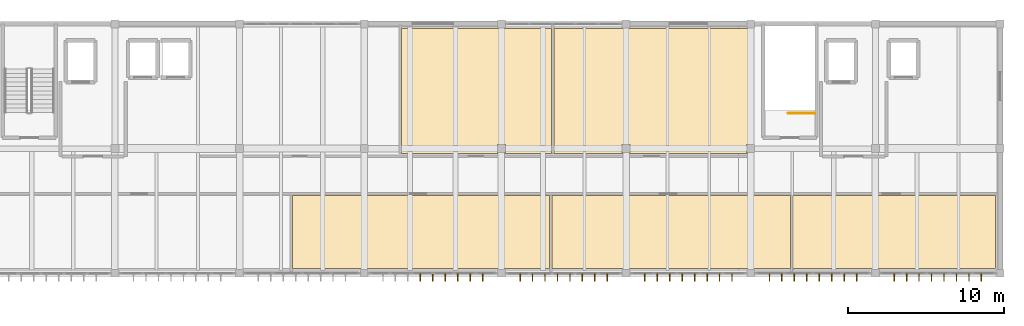
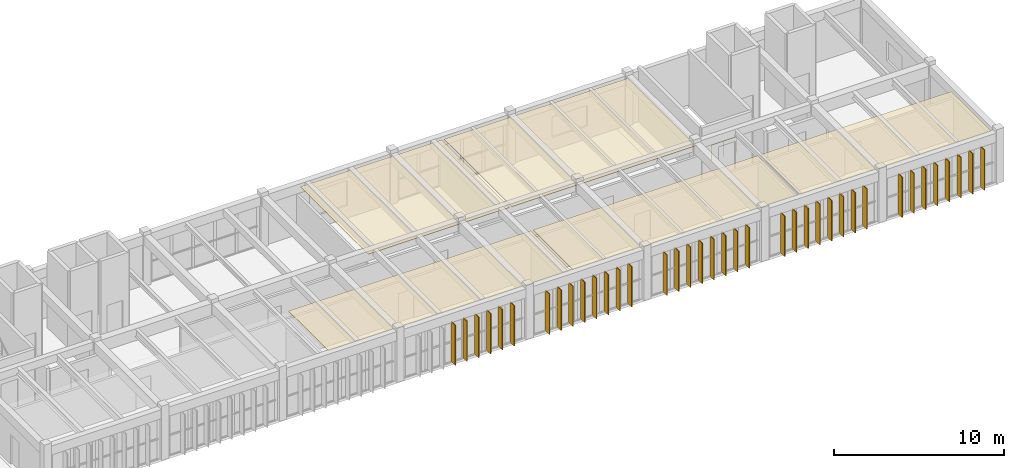
# One storey, part 12 of 12: 38 shading devices, 5 coverings, 1 railing.
"""IFC4 building model written with IfcOpenShell, lengths in metres."""

import ifcopenshell
import ifcopenshell.guid

model = None  # the IFC model being written
_history = None  # IfcOwnerHistory: only IFC2X3 demands one
_inside = {}  # id of a spatial element -> (the spatial element, [elements in it])
_under = {}  # id of a project, library or spatial element -> (it, [spatial elements below it])
_declared = {}  # id of a project -> (the project, [libraries it declares])
_typed = {}  # id of a type object -> (the type object, [elements of that type])
_made_of = {}  # id of a material, layer set ... -> (it, [elements and type objects made of it])


def new_model(schema):
    """Start an empty IFC model of exactly this schema.

    Asked for "IFC4X3", IfcOpenShell would pick the latest addendum, in which some entities
    have other attributes; the version numbers below select the first issue.
    IFC2X3 requires an IfcOwnerHistory on every rooted entity: one is made here for all.
    """
    global model, _history
    if schema == "IFC4X3":
        model = ifcopenshell.file(schema_version=(4, 3, 0, 0))
    else:
        model = ifcopenshell.file(schema=schema)
    _inside.clear()
    _under.clear()
    _declared.clear()
    _typed.clear()
    _made_of.clear()
    _history = None
    if model.schema == "IFC2X3":
        org = make("IfcOrganization", Name="unknown")
        user = make(
            "IfcPersonAndOrganization",
            ThePerson=make("IfcPerson", FamilyName="unknown"),
            TheOrganization=org,
        )
        app = make(
            "IfcApplication",
            ApplicationDeveloper=org,
            Version="unknown",
            ApplicationFullName="unknown",
            ApplicationIdentifier="unknown",
        )
        _history = make(
            "IfcOwnerHistory",
            OwningUser=user,
            OwningApplication=app,
            ChangeAction="ADDED",
            CreationDate=0,
        )
    return model


def make(cls, **values):
    """One entity of the class cls with the attributes given. An attribute that is None is left unset."""
    return model.create_entity(
        cls, **{name: value for name, value in values.items() if value is not None}
    )


def rooted(cls, **values):
    """An entity with a GlobalId (a new one), such as an element, a storey or a relation."""
    return make(cls, GlobalId=ifcopenshell.guid.new(), OwnerHistory=_history, **values)


def si_unit(unit_type, name, prefix=None):
    """IfcSIUnit, for example si_unit("LENGTHUNIT", "METRE", prefix="MILLI")."""
    return make("IfcSIUnit", UnitType=unit_type, Prefix=prefix, Name=name)


def assignment(units):
    """IfcUnitAssignment: the units of a project."""
    return None if units is None else make("IfcUnitAssignment", Units=units)


def point(xyz):
    """IfcCartesianPoint."""
    return None if xyz is None else make("IfcCartesianPoint", Coordinates=xyz)


def direction(xyz):
    """IfcDirection."""
    return None if xyz is None else make("IfcDirection", DirectionRatios=xyz)


def frame(location, z_axis=None, x_axis=None):
    """IfcAxis2Placement3D, a coordinate frame: its origin and axes. An axis left out is left unset."""
    return make(
        "IfcAxis2Placement3D",
        Location=point(location),
        Axis=direction(z_axis),
        RefDirection=direction(x_axis),
    )


def frame_2d(location, x_axis=None):
    """IfcAxis2Placement2D, a coordinate frame in the plane: its origin and x axis."""
    return make(
        "IfcAxis2Placement2D", Location=point(location), RefDirection=direction(x_axis)
    )


def origin():
    """The frame at (0, 0, 0) with its axes left unset."""
    return frame((0.0, 0.0, 0.0))


def origin_2d():
    """The frame at (0, 0) in the plane with its x axis left unset."""
    return frame_2d((0.0, 0.0))


def place(relative_to, where):
    """IfcLocalPlacement: puts the frame where relative to a parent placement (None: the world)."""
    return make(
        "IfcLocalPlacement", PlacementRelTo=relative_to, RelativePlacement=where
    )


def context(
    kind, dimensions, precision=None, world=None, true_north=None, identifier=None
):
    """IfcGeometricRepresentationContext, for example the 3D "Model" context."""
    return make(
        "IfcGeometricRepresentationContext",
        ContextIdentifier=identifier,
        ContextType=kind,
        CoordinateSpaceDimension=dimensions,
        Precision=precision,
        WorldCoordinateSystem=world,
        TrueNorth=true_north,
    )


def subcontext(parent, identifier, kind, view, scale=None):
    """IfcGeometricRepresentationSubContext, for example "Body" below "Model"."""
    return make(
        "IfcGeometricRepresentationSubContext",
        ContextIdentifier=identifier,
        ContextType=kind,
        ParentContext=parent,
        TargetScale=scale,
        TargetView=view,
    )


def project(units=None, contexts=None):
    """IfcProject with its units and contexts."""
    return rooted(
        "IfcProject",
        Name="project",
        RepresentationContexts=contexts,
        UnitsInContext=assignment(units),
    )


def spatial(cls, under=None, at=None, **own):
    """A site, building, storey or space (cls), placed at a placement, below another one or the project."""
    s = rooted(cls, ObjectPlacement=at, **own)
    if under is not None:
        _under.setdefault(under.id(), (under, []))[1].append(s)
    return s


def polyline(points):
    """IfcPolyline through the points."""
    return make("IfcPolyline", Points=[point(p) for p in points])


def profile(cls, at=None, kind="AREA", **sizes):
    """A parametric profile (cls). Its sizes go by their IFC names, for example OverallWidth=200.0."""
    return make(cls, ProfileType=kind, Position=at, **sizes)


def rectangle(**sizes):
    """IfcRectangleProfileDef."""
    return profile("IfcRectangleProfileDef", **sizes)


def circle(**sizes):
    """IfcCircleProfileDef."""
    return profile("IfcCircleProfileDef", **sizes)


def outline(outer, holes=None, kind="AREA"):
    """IfcArbitraryClosedProfileDef: a profile drawn as a closed curve; with holes, ...WithVoids."""
    if holes is None:
        return make("IfcArbitraryClosedProfileDef", ProfileType=kind, OuterCurve=outer)
    return make(
        "IfcArbitraryProfileDefWithVoids",
        ProfileType=kind,
        OuterCurve=outer,
        InnerCurves=holes,
    )


def extrude(swept, where, along, depth):
    """IfcExtrudedAreaSolid: the profile swept, set in the frame where, extruded along a direction by depth."""
    return make(
        "IfcExtrudedAreaSolid",
        SweptArea=swept,
        Position=where,
        ExtrudedDirection=direction(along),
        Depth=depth,
    )


def shape(context_of_items, identifier, shape_type, items):
    """IfcShapeRepresentation: the items that make up one representation, for example the "Body"."""
    return make(
        "IfcShapeRepresentation",
        ContextOfItems=context_of_items,
        RepresentationIdentifier=identifier,
        RepresentationType=shape_type,
        Items=items,
    )


def material(Name=None, Category=None):
    """IfcMaterial."""
    return make("IfcMaterial", Name=Name, Category=Category)


def layer(
    of_material, thickness, ventilated=None, Name=None, Category=None, Priority=None
):
    """IfcMaterialLayer: one layer of a wall or slab, of a material (None: an air gap)."""
    return make(
        "IfcMaterialLayer",
        Material=of_material,
        LayerThickness=thickness,
        IsVentilated=ventilated,
        Name=Name,
        Category=Category,
        Priority=Priority,
    )


def layer_set(layers, Name=None):
    """IfcMaterialLayerSet."""
    return make("IfcMaterialLayerSet", MaterialLayers=layers, LayerSetName=Name)


def made_of(thing, what):
    """Note that an element or type object is made of a material, layer set ...; save() writes the relation."""
    if what is not None:
        _made_of.setdefault(what.id(), (what, []))[1].append(thing)
    return thing


def type_object(cls, material=None, **own):
    """A type object (cls), such as IfcWallType, which elements share."""
    return made_of(rooted(cls, **own), material)


def element(
    cls,
    number,
    at=None,
    inside=None,
    cuts=None,
    type_object=None,
    material=None,
    context=None,
    identifier="Body",
    shape_type=None,
    held_by="IfcProductDefinitionShape",
    body=None,
    shapes=None,
    **own,
):
    """One element of the class cls, such as IfcWall. Its Tag is "e" and its number.

    at: its placement. inside: the storey or other place that contains it. cuts: it is an
    opening in that element (IfcRelVoidsElement). A single representation is given by context,
    identifier, shape_type and body (its items); several are given by shapes. held_by: the class
    of the entity that holds the representations. save() writes the other relations.
    """
    e = rooted(cls, Tag="e%d" % number, ObjectPlacement=at, **own)
    if body is not None:
        shapes = [shape(context, identifier, shape_type, body)]
    if shapes is not None:
        e.Representation = make(held_by, Representations=shapes)
    if inside is not None:
        _inside.setdefault(inside.id(), (inside, []))[1].append(e)
    if cuts is not None:
        rooted(
            "IfcRelVoidsElement", RelatingBuildingElement=cuts, RelatedOpeningElement=e
        )
    if type_object is not None:
        _typed.setdefault(type_object.id(), (type_object, []))[1].append(e)
    return made_of(e, material)


def aggregate(whole, parts):
    """IfcRelAggregates: a whole, such as a stair, and the parts it consists of."""
    return rooted("IfcRelAggregates", RelatingObject=whole, RelatedObjects=parts)


def save(model, path):
    """Write the relations noted so far, then the file.

    IfcRelAggregates (storeys below a building ...), IfcRelContainedInSpatialStructure (elements
    in a storey), IfcRelDefinesByType, IfcRelAssociatesMaterial and IfcRelDeclares: one each for
    every whole, place, type object, material and project.
    """
    for whole, parts in _under.values():
        aggregate(whole, parts)
    for where, things in _inside.values():
        rooted(
            "IfcRelContainedInSpatialStructure",
            RelatedElements=things,
            RelatingStructure=where,
        )
    for kind, things in _typed.values():
        rooted("IfcRelDefinesByType", RelatedObjects=things, RelatingType=kind)
    for what, things in _made_of.values():
        rooted("IfcRelAssociatesMaterial", RelatedObjects=things, RelatingMaterial=what)
    for by, libraries in _declared.values():
        rooted("IfcRelDeclares", RelatingContext=by, RelatedDefinitions=libraries)
    model.write(path)


model = new_model("IFC4")

# Units and contexts
model_context = context("Model", 3, precision=1e-05, world=origin(), true_north=direction((0.0, 1.0)))
body_context = subcontext(model_context, "Body", "Model", "MODEL_VIEW")
ifc_project = project(units=[si_unit("LENGTHUNIT", "METRE"), si_unit("AREAUNIT", "SQUARE_METRE"), si_unit("VOLUMEUNIT", "CUBIC_METRE"), si_unit("PLANEANGLEUNIT", "RADIAN"), si_unit("MASSUNIT", "GRAM", prefix="KILO")], contexts=[model_context])

# Site, building, storey
site_placement = place(None, origin())
site = spatial("IfcSite", under=ifc_project, at=site_placement, CompositionType="ELEMENT")
building_placement = place(site_placement, origin())
building = spatial("IfcBuilding", under=site, at=building_placement, Name="Tlaxcora Railside Police Headquarters", CompositionType="ELEMENT")
storey_placement = place(building_placement, frame((0.0, 0.0, 29.699951171875)))
storey = spatial("IfcBuildingStorey", under=building, at=storey_placement, Name="L07", CompositionType="ELEMENT", Elevation=29.699951171875)

# Coverings
ifc_material_1 = material(Name="Mineral-fibre acoustic ceiling tile")
ifc_layer_1 = layer(ifc_material_1, 0.034912109375, Name="Mineral-fibre acoustic ceiling tile")
ifc_layer_set_1 = layer_set([ifc_layer_1], Name="Mineral-fibre acoustic ceiling tile")
covering_type = type_object("IfcCoveringType", Name="Acoustic Suspended Ceiling CLG-01", PredefinedType="CEILING", material=ifc_layer_set_1)
covering_1_placement = place(storey_placement, frame((0.0, 0.0, 3.465087890625)))
element("IfcCovering", 1, at=covering_1_placement, inside=storey, type_object=covering_type, Name="Metropolitan Security Strategy Briefing Room suspended ceiling", PredefinedType="CEILING", context=body_context, shape_type="SweptSolid", body=[
    extrude(outline(polyline([(40.60205078125, 81.800048828125), (40.60205078125, 77.10009765625), (57.0859375, 77.10009765625), (57.0859375, 81.800048828125), (40.60205078125, 81.800048828125)])), origin(), (0.0, 0.0, 1.0), 0.034912109375),
])
covering_2_placement = place(storey_placement, frame((0.0, 0.0, 3.465087890625)))
element("IfcCovering", 2, at=covering_2_placement, inside=storey, type_object=covering_type, Name="Chief of Staff and Policy Planning Suite suspended ceiling", PredefinedType="CEILING", context=body_context, shape_type="SweptSolid", body=[
    extrude(outline(polyline([(57.24609375, 81.800048828125), (57.24609375, 77.10009765625), (72.5419921875, 77.10009765625), (72.5419921875, 81.800048828125), (57.24609375, 81.800048828125)])), origin(), (0.0, 0.0, 1.0), 0.034912109375),
])
covering_3_placement = place(storey_placement, frame((0.0, 0.0, 3.465087890625)))
element("IfcCovering", 3, at=covering_3_placement, inside=storey, type_object=covering_type, Name="Protocol Reception and Press Room suspended ceiling", PredefinedType="CEILING", context=body_context, shape_type="SweptSolid", body=[
    extrude(outline(polyline([(72.701904296875, 81.800048828125), (72.701904296875, 77.10009765625), (85.699951171875, 77.10009765625), (85.699951171875, 81.800048828125), (72.701904296875, 81.800048828125)])), origin(), (0.0, 0.0, 1.0), 0.034912109375),
])
covering_4_placement = place(storey_placement, frame((0.0, 0.0, 3.465087890625)))
element("IfcCovering", 4, at=covering_4_placement, inside=storey, type_object=covering_type, Name="Accessible WC and Executive Restrooms L07 suspended ceiling", PredefinedType="CEILING", context=body_context, shape_type="SweptSolid", body=[
    extrude(outline(polyline([(57.208984375, 92.5), (47.591064453125, 92.5), (47.591064453125, 84.5), (57.208984375, 84.5), (57.208984375, 92.5)]), holes=[polyline([(54.260009765625, 84.5400390625), (53.739990234375, 84.5400390625), (53.739990234375, 85.06005859375), (54.260009765625, 85.06005859375), (54.260009765625, 84.5400390625)])]), origin(), (0.0, 0.0, 1.0), 0.034912109375),
])
covering_5_placement = place(storey_placement, frame((0.0, 0.0, 3.465087890625)))
element("IfcCovering", 5, at=covering_5_placement, inside=storey, type_object=covering_type, Name="Directorate Registry Vault suspended ceiling", PredefinedType="CEILING", context=body_context, shape_type="SweptSolid", body=[
    extrude(outline(polyline([(70.0, 84.5), (70.0, 84.5400390625), (69.739990234375, 84.5400390625), (69.739990234375, 85.06005859375), (70.0, 85.06005859375), (70.0, 92.5), (57.368896484375, 92.5), (57.368896484375, 84.5), (70.0, 84.5)]), holes=[polyline([(62.260009765625, 85.06005859375), (62.260009765625, 84.5400390625), (61.739990234375, 84.5400390625), (61.739990234375, 85.06005859375), (62.260009765625, 85.06005859375)])]), origin(), (0.0, 0.0, 1.0), 0.034912109375),
])

# Shading devices
ifc_material_2 = material(Name="Anodised aluminium framing", Category="aluminium")
ifc_layer_2 = layer(ifc_material_2, 0.054931640625, Name="Anodised aluminium framing")
ifc_layer_set_2 = layer_set([ifc_layer_2], Name="Anodised aluminium framing")
shading_device_type = type_object("IfcShadingDeviceType", Name="Solar Control Fin SF-01", PredefinedType="JALOUSIE", material=ifc_layer_set_2)
for number, where, z_axis, x_axis, name in (
    (6, (48.800048828125, 76.5400390625, 0.0400390625), (0.0, 0.0, 1.0), (0.0, -1.0, 0.0), "Vertical solar fin 722"),
    (7, (49.60009765625, 76.5400390625, 0.0400390625), (0.0, 0.0, 1.0), (0.0, -1.0, 0.0), "Vertical solar fin 723"),
    (8, (50.39990234375, 76.5400390625, 0.0400390625), (0.0, 0.0, 1.0), (0.0, -1.0, 0.0), "Vertical solar fin 724"),
    (9, (51.199951171875, 76.5400390625, 0.0400390625), (0.0, 0.0, 1.0), (0.0, -1.0, 0.0), "Vertical solar fin 725"),
    (10, (52.0, 76.5400390625, 0.0400390625), (0.0, 0.0, 1.0), (0.0, -1.0, 0.0), "Vertical solar fin 726"),
    (11, (52.800048828125, 76.5400390625, 0.0400390625), (0.0, 0.0, 1.0), (0.0, -1.0, 0.0), "Vertical solar fin 727"),
    (12, (55.199951171875, 76.5400390625, 0.0400390625), (0.0, 0.0, 1.0), (0.0, -1.0, 0.0), "Vertical solar fin 728"),
    (13, (56.0, 76.5400390625, 0.0400390625), (0.0, 0.0, 1.0), (0.0, -1.0, 0.0), "Vertical solar fin 729"),
    (14, (56.800048828125, 76.5400390625, 0.0400390625), (0.0, 0.0, 1.0), (0.0, -1.0, 0.0), "Vertical solar fin 730"),
    (15, (57.60009765625, 76.5400390625, 0.0400390625), (0.0, 0.0, 1.0), (0.0, -1.0, 0.0), "Vertical solar fin 731"),
    (16, (58.39990234375, 76.5400390625, 0.0400390625), (0.0, 0.0, 1.0), (0.0, -1.0, 0.0), "Vertical solar fin 732"),
    (17, (59.199951171875, 76.5400390625, 0.0400390625), (0.0, 0.0, 1.0), (0.0, -1.0, 0.0), "Vertical solar fin 733"),
    (18, (60.0, 76.5400390625, 0.0400390625), (0.0, 0.0, 1.0), (0.0, -1.0, 0.0), "Vertical solar fin 734"),
    (19, (60.800048828125, 76.5400390625, 0.0400390625), (0.0, 0.0, 1.0), (0.0, -1.0, 0.0), "Vertical solar fin 735"),
    (20, (63.199951171875, 76.5400390625, 0.0400390625), (0.0, 0.0, 1.0), (0.0, -1.0, 0.0), "Vertical solar fin 736"),
    (21, (64.0, 76.5400390625, 0.0400390625), (0.0, 0.0, 1.0), (0.0, -1.0, 0.0), "Vertical solar fin 737"),
    (22, (64.800048828125, 76.5400390625, 0.0400390625), (0.0, 0.0, 1.0), (0.0, -1.0, 0.0), "Vertical solar fin 738"),
    (23, (65.60009765625, 76.5400390625, 0.0400390625), (0.0, 0.0, 1.0), (0.0, -1.0, 0.0), "Vertical solar fin 739"),
    (24, (66.39990234375, 76.5400390625, 0.0400390625), (0.0, 0.0, 1.0), (0.0, -1.0, 0.0), "Vertical solar fin 740"),
    (25, (67.199951171875, 76.5400390625, 0.0400390625), (0.0, 0.0, 1.0), (0.0, -1.0, 0.0), "Vertical solar fin 741"),
    (26, (68.0, 76.5400390625, 0.0400390625), (0.0, 0.0, 1.0), (0.0, -1.0, 0.0), "Vertical solar fin 742"),
    (27, (68.800048828125, 76.5400390625, 0.0400390625), (0.0, 0.0, 1.0), (0.0, -1.0, 0.0), "Vertical solar fin 743"),
    (28, (71.199951171875, 76.5400390625, 0.0400390625), (0.0, 0.0, 1.0), (0.0, -1.0, 0.0), "Vertical solar fin 744"),
    (29, (72.0, 76.5400390625, 0.0400390625), (0.0, 0.0, 1.0), (0.0, -1.0, 0.0), "Vertical solar fin 745"),
    (30, (72.800048828125, 76.5400390625, 0.0400390625), (0.0, 0.0, 1.0), (0.0, -1.0, 0.0), "Vertical solar fin 746"),
    (31, (73.60009765625, 76.5400390625, 0.0400390625), (0.0, 0.0, 1.0), (0.0, -1.0, 0.0), "Vertical solar fin 747"),
    (32, (74.39990234375, 76.5400390625, 0.0400390625), (0.0, 0.0, 1.0), (0.0, -1.0, 0.0), "Vertical solar fin 748"),
    (33, (75.199951171875, 76.5400390625, 0.0400390625), (0.0, 0.0, 1.0), (0.0, -1.0, 0.0), "Vertical solar fin 749"),
    (34, (76.0, 76.5400390625, 0.0400390625), (0.0, 0.0, 1.0), (0.0, -1.0, 0.0), "Vertical solar fin 750"),
    (35, (76.800048828125, 76.5400390625, 0.0400390625), (0.0, 0.0, 1.0), (0.0, -1.0, 0.0), "Vertical solar fin 751"),
    (36, (79.199951171875, 76.5400390625, 0.0400390625), (0.0, 0.0, 1.0), (0.0, -1.0, 0.0), "Vertical solar fin 752"),
    (37, (80.0, 76.5400390625, 0.0400390625), (0.0, 0.0, 1.0), (0.0, -1.0, 0.0), "Vertical solar fin 753"),
    (38, (80.800048828125, 76.5400390625, 0.0400390625), (0.0, 0.0, 1.0), (0.0, -1.0, 0.0), "Vertical solar fin 754"),
    (39, (81.60009765625, 76.5400390625, 0.0400390625), (0.0, 0.0, 1.0), (0.0, -1.0, 0.0), "Vertical solar fin 755"),
    (40, (82.39990234375, 76.5400390625, 0.0400390625), (0.0, 0.0, 1.0), (0.0, -1.0, 0.0), "Vertical solar fin 756"),
    (41, (83.199951171875, 76.5400390625, 0.0400390625), (0.0, 0.0, 1.0), (0.0, -1.0, 0.0), "Vertical solar fin 757"),
    (42, (84.0, 76.5400390625, 0.0400390625), (0.0, 0.0, 1.0), (0.0, -1.0, 0.0), "Vertical solar fin 758"),
    (43, (84.800048828125, 76.5400390625, 0.0400390625), (0.0, 0.0, 1.0), (0.0, -1.0, 0.0), "Vertical solar fin 759"),
):
    element("IfcShadingDevice", number, at=place(storey_placement, frame(where, z_axis=z_axis, x_axis=x_axis)), inside=storey, type_object=shading_device_type, Name=name, PredefinedType="JALOUSIE", context=body_context, shape_type="SweptSolid", body=[
        extrude(rectangle(XDim=0.47998046875, YDim=0.054931640625, at=origin_2d()), origin(), (0.0, 0.0, 1.0), 2.89990234375),
    ])

# Railing
ifc_material_3 = material(Name="Steel ASTM A992 Grade 50", Category="steel")
railing_type = type_object("IfcRailingType", Name="Stair Well Guard Balustrade GR-02", PredefinedType="BALUSTRADE", material=ifc_material_3)
railing_placement = place(storey_placement, frame((74.110107421875, 87.06005859375, 0.0)))
element("IfcRailing", 44, at=railing_placement, inside=storey, type_object=railing_type, Name="L07 ST2 top well guard 1", PredefinedType="BALUSTRADE", context=body_context, shape_type="SweptSolid", body=[
    extrude(circle(Radius=0.02392578125, at=origin_2d()), frame((0.0, 0.0, 1.09619140625), z_axis=(-1.0, 0.0, 0.0), x_axis=(0.0, -1.0, 0.0)), (0.0, 0.0, 1.0), 1.7001953125),
    extrude(circle(Radius=0.02099609375, at=origin_2d()), origin(), (0.0, 0.0, 1.0), 1.072021484375),
    extrude(circle(Radius=0.02099609375, at=origin_2d()), frame((-0.85009765625, 0.0, 0.0)), (0.0, 0.0, 1.0), 1.072021484375),
    extrude(circle(Radius=0.02099609375, at=origin_2d()), frame((-1.7001953125, 0.0, 0.0)), (0.0, 0.0, 1.0), 1.072021484375),
])

save(model, "model.ifc")
